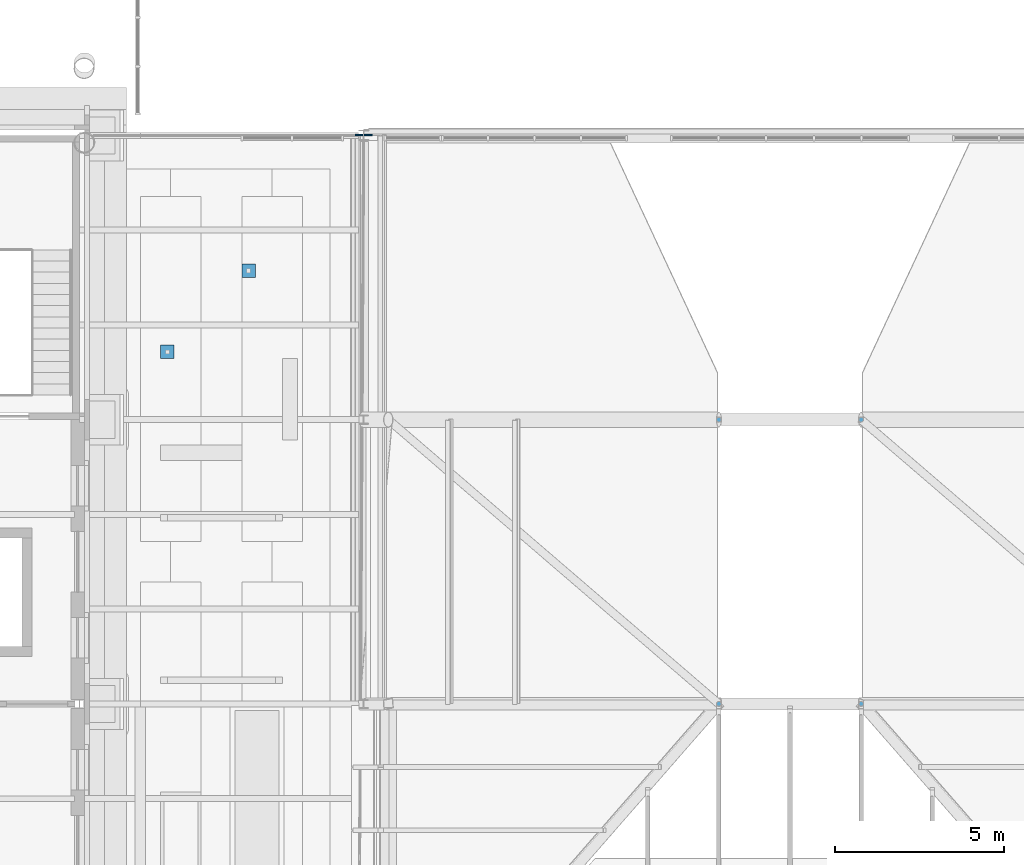
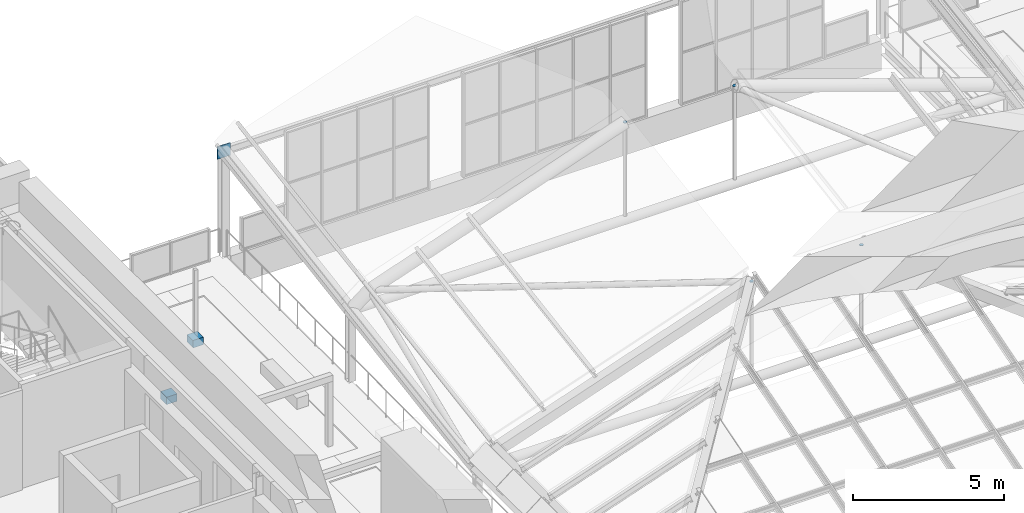
# One storey, part 51 of 76: 7 discrete accessories.
"""IFC4 building model written with IfcOpenShell, lengths in metres."""

from ifc_helpers import new_model, si_unit, direction, frame, origin, origin_2d, place, context, subcontext, project, spatial, rectangle, circle, extrude, material, layer, layer_set, material_profile, profile_set, type_object, element, save


model = new_model("IFC4")

# Units and contexts
model_context = context("Model", 3, precision=1e-05, world=origin(), true_north=direction((0.0, 1.0)))
body_context = subcontext(model_context, "Body", "Model", "MODEL_VIEW")
ifc_project = project(units=[si_unit("LENGTHUNIT", "METRE"), si_unit("AREAUNIT", "SQUARE_METRE"), si_unit("VOLUMEUNIT", "CUBIC_METRE"), si_unit("PLANEANGLEUNIT", "RADIAN"), si_unit("MASSUNIT", "GRAM", prefix="KILO")], contexts=[model_context])

# Site, building, storey
site_placement = place(None, origin())
site = spatial("IfcSite", under=ifc_project, at=site_placement, CompositionType="ELEMENT")
building_placement = place(site_placement, origin())
building = spatial("IfcBuilding", under=site, at=building_placement, Name="Sava Quay Ferry Terminal", CompositionType="ELEMENT")
storey_placement = place(building_placement, frame((0.0, 0.0, 10.800048828125)))
storey = spatial("IfcBuildingStorey", under=building, at=storey_placement, Name="L02", CompositionType="ELEMENT", Elevation=10.800048828125)

# Discrete accessories
ifc_material_1 = material(Name="Steel S355", Category="steel")
ifc_layer = layer(ifc_material_1, 0.030029296875)
ifc_layer_set = layer_set([ifc_layer], Name="Steel S355")
discrete_accessory_type_1 = type_object("IfcDiscreteAccessoryType", Name="Eave beam end plate 30", PredefinedType="ANCHORPLATE", material=ifc_layer_set)
discrete_accessory_placement = place(storey_placement, frame((50.39990234375, 50.409912109375, 3.91455078125), z_axis=(0.0, 0.0, 1.0), x_axis=(1.0, 0.0, 0.0)))
element("IfcDiscreteAccessory", 1, at=discrete_accessory_placement, inside=storey, type_object=discrete_accessory_type_1, Name="Arrivals hall eave beam end plate L2", PredefinedType="ANCHORPLATE", context=body_context, shape_type="SweptSolid", body=[
    extrude(rectangle(XDim=0.5, YDim=0.0400390625, at=origin_2d()), origin(), (0.0, 0.0, 1.0), 0.5),
])
ifc_material_2 = material(Name="Precast concrete C30/37", Category="concrete")
discrete_accessory_type_2 = type_object("IfcDiscreteAccessoryType", Name="Terrace lamp base 400", PredefinedType="NOTDEFINED", material=ifc_material_2)
for number, where, z_axis, x_axis, name in (
    (2, (44.60009765625, 44.0, 0.0), (0.0, 0.0, 1.0), (1.0, 0.0, 0.0), "Terrace lamp base"),
    (3, (47.0, 46.39990234375, 0.0), (0.0, 0.0, 1.0), (1.0, 0.0, 0.0), "Terrace lamp base"),
):
    element("IfcDiscreteAccessory", number, at=place(storey_placement, frame(where, z_axis=z_axis, x_axis=x_axis)), inside=storey, type_object=discrete_accessory_type_2, Name=name, PredefinedType="NOTDEFINED", context=body_context, shape_type="SweptSolid", body=[
        extrude(rectangle(XDim=0.39990234375, YDim=0.39990234375, at=origin_2d()), origin(), (0.0, 0.0, 1.0), 0.300048828125),
    ])
ifc_material_3 = material(Name="Steel S355", Category="steel")
ifc_material_profile = material_profile(ifc_material_3, circle(Radius=0.06982421875, at=origin_2d()), Name="Plate 139.7 dia x 20")
ifc_profile_set = profile_set([ifc_material_profile], Name="Steel S355")
discrete_accessory_type_3 = type_object("IfcDiscreteAccessoryType", Name="Tube end plate 139.7", PredefinedType="ANCHORPLATE", material=ifc_profile_set)
for number, where, z_axis, x_axis, name in (
    (4, (60.89990234375, 33.60009765625, 5.400390625), (0.0, 0.0, 1.0), (1.0, 0.0, 0.0), "End plate Arrivals hall tie hanger R0 V2"),
    (5, (65.10009765625, 33.60009765625, 5.400390625), (0.0, 0.0, 1.0), (1.0, 0.0, 0.0), "End plate Arrivals hall tie hanger R0 V3"),
    (6, (60.89990234375, 42.0, 6.749267578125), (0.0, 0.0, 1.0), (1.0, 0.0, 0.0), "End plate Arrivals hall tie hanger R1 V2"),
    (7, (65.10009765625, 42.0, 6.749267578125), (0.0, 0.0, 1.0), (1.0, 0.0, 0.0), "End plate Arrivals hall tie hanger R1 V3"),
):
    element("IfcDiscreteAccessory", number, at=place(storey_placement, frame(where, z_axis=z_axis, x_axis=x_axis)), inside=storey, type_object=discrete_accessory_type_3, Name=name, PredefinedType="ANCHORPLATE", context=body_context, shape_type="SweptSolid", body=[
        extrude(circle(Radius=0.06982421875, at=origin_2d()), origin(), (0.0, 0.0, 1.0), 0.02001953125),
    ])

save(model, "model.ifc")
